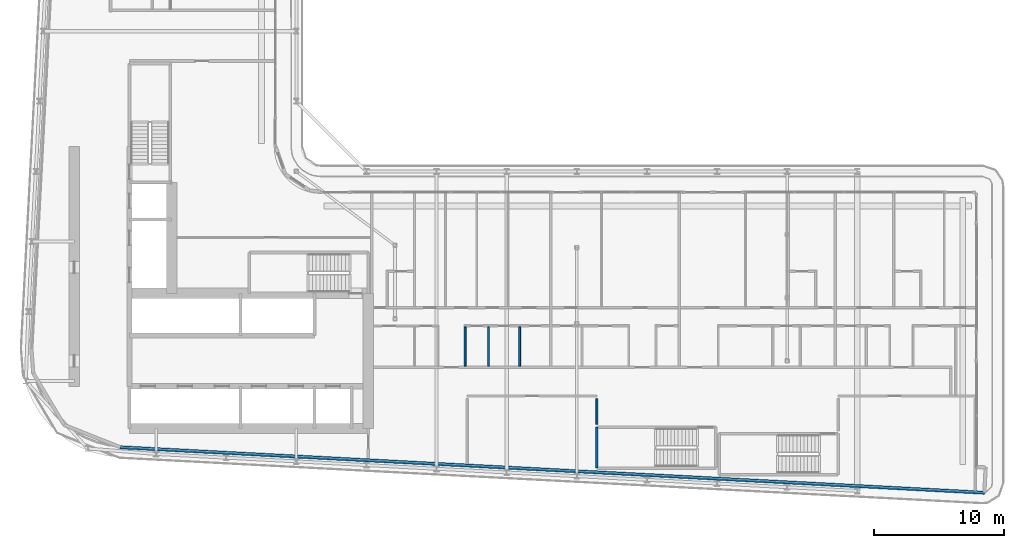
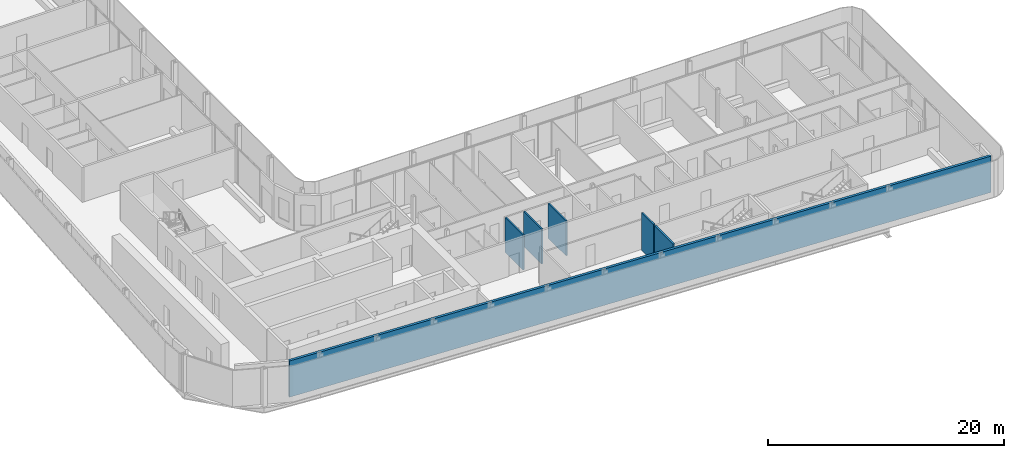
# One storey, part 17 of 30: 6 walls.
"""IFC4 building model written with IfcOpenShell, lengths in metres."""

import ifcopenshell
import ifcopenshell.guid

model = None  # the IFC model being written
_history = None  # IfcOwnerHistory: only IFC2X3 demands one
_inside = {}  # id of a spatial element -> (the spatial element, [elements in it])
_under = {}  # id of a project, library or spatial element -> (it, [spatial elements below it])
_declared = {}  # id of a project -> (the project, [libraries it declares])
_typed = {}  # id of a type object -> (the type object, [elements of that type])
_made_of = {}  # id of a material, layer set ... -> (it, [elements and type objects made of it])


def new_model(schema):
    """Start an empty IFC model of exactly this schema.

    Asked for "IFC4X3", IfcOpenShell would pick the latest addendum, in which some entities
    have other attributes; the version numbers below select the first issue.
    IFC2X3 requires an IfcOwnerHistory on every rooted entity: one is made here for all.
    """
    global model, _history
    if schema == "IFC4X3":
        model = ifcopenshell.file(schema_version=(4, 3, 0, 0))
    else:
        model = ifcopenshell.file(schema=schema)
    _inside.clear()
    _under.clear()
    _declared.clear()
    _typed.clear()
    _made_of.clear()
    _history = None
    if model.schema == "IFC2X3":
        org = make("IfcOrganization", Name="unknown")
        user = make(
            "IfcPersonAndOrganization",
            ThePerson=make("IfcPerson", FamilyName="unknown"),
            TheOrganization=org,
        )
        app = make(
            "IfcApplication",
            ApplicationDeveloper=org,
            Version="unknown",
            ApplicationFullName="unknown",
            ApplicationIdentifier="unknown",
        )
        _history = make(
            "IfcOwnerHistory",
            OwningUser=user,
            OwningApplication=app,
            ChangeAction="ADDED",
            CreationDate=0,
        )
    return model


def make(cls, **values):
    """One entity of the class cls with the attributes given. An attribute that is None is left unset."""
    return model.create_entity(
        cls, **{name: value for name, value in values.items() if value is not None}
    )


def rooted(cls, **values):
    """An entity with a GlobalId (a new one), such as an element, a storey or a relation."""
    return make(cls, GlobalId=ifcopenshell.guid.new(), OwnerHistory=_history, **values)


def si_unit(unit_type, name, prefix=None):
    """IfcSIUnit, for example si_unit("LENGTHUNIT", "METRE", prefix="MILLI")."""
    return make("IfcSIUnit", UnitType=unit_type, Prefix=prefix, Name=name)


def assignment(units):
    """IfcUnitAssignment: the units of a project."""
    return None if units is None else make("IfcUnitAssignment", Units=units)


def point(xyz):
    """IfcCartesianPoint."""
    return None if xyz is None else make("IfcCartesianPoint", Coordinates=xyz)


def direction(xyz):
    """IfcDirection."""
    return None if xyz is None else make("IfcDirection", DirectionRatios=xyz)


def frame(location, z_axis=None, x_axis=None):
    """IfcAxis2Placement3D, a coordinate frame: its origin and axes. An axis left out is left unset."""
    return make(
        "IfcAxis2Placement3D",
        Location=point(location),
        Axis=direction(z_axis),
        RefDirection=direction(x_axis),
    )


def frame_2d(location, x_axis=None):
    """IfcAxis2Placement2D, a coordinate frame in the plane: its origin and x axis."""
    return make(
        "IfcAxis2Placement2D", Location=point(location), RefDirection=direction(x_axis)
    )


def origin():
    """The frame at (0, 0, 0) with its axes left unset."""
    return frame((0.0, 0.0, 0.0))


def place(relative_to, where):
    """IfcLocalPlacement: puts the frame where relative to a parent placement (None: the world)."""
    return make(
        "IfcLocalPlacement", PlacementRelTo=relative_to, RelativePlacement=where
    )


def context(
    kind, dimensions, precision=None, world=None, true_north=None, identifier=None
):
    """IfcGeometricRepresentationContext, for example the 3D "Model" context."""
    return make(
        "IfcGeometricRepresentationContext",
        ContextIdentifier=identifier,
        ContextType=kind,
        CoordinateSpaceDimension=dimensions,
        Precision=precision,
        WorldCoordinateSystem=world,
        TrueNorth=true_north,
    )


def subcontext(parent, identifier, kind, view, scale=None):
    """IfcGeometricRepresentationSubContext, for example "Body" below "Model"."""
    return make(
        "IfcGeometricRepresentationSubContext",
        ContextIdentifier=identifier,
        ContextType=kind,
        ParentContext=parent,
        TargetScale=scale,
        TargetView=view,
    )


def project(units=None, contexts=None):
    """IfcProject with its units and contexts."""
    return rooted(
        "IfcProject",
        Name="project",
        RepresentationContexts=contexts,
        UnitsInContext=assignment(units),
    )


def spatial(cls, under=None, at=None, **own):
    """A site, building, storey or space (cls), placed at a placement, below another one or the project."""
    s = rooted(cls, ObjectPlacement=at, **own)
    if under is not None:
        _under.setdefault(under.id(), (under, []))[1].append(s)
    return s


def profile(cls, at=None, kind="AREA", **sizes):
    """A parametric profile (cls). Its sizes go by their IFC names, for example OverallWidth=200.0."""
    return make(cls, ProfileType=kind, Position=at, **sizes)


def rectangle(**sizes):
    """IfcRectangleProfileDef."""
    return profile("IfcRectangleProfileDef", **sizes)


def extrude(swept, where, along, depth):
    """IfcExtrudedAreaSolid: the profile swept, set in the frame where, extruded along a direction by depth."""
    return make(
        "IfcExtrudedAreaSolid",
        SweptArea=swept,
        Position=where,
        ExtrudedDirection=direction(along),
        Depth=depth,
    )


def shape(context_of_items, identifier, shape_type, items):
    """IfcShapeRepresentation: the items that make up one representation, for example the "Body"."""
    return make(
        "IfcShapeRepresentation",
        ContextOfItems=context_of_items,
        RepresentationIdentifier=identifier,
        RepresentationType=shape_type,
        Items=items,
    )


def material(Name=None, Category=None):
    """IfcMaterial."""
    return make("IfcMaterial", Name=Name, Category=Category)


def layer(
    of_material, thickness, ventilated=None, Name=None, Category=None, Priority=None
):
    """IfcMaterialLayer: one layer of a wall or slab, of a material (None: an air gap)."""
    return make(
        "IfcMaterialLayer",
        Material=of_material,
        LayerThickness=thickness,
        IsVentilated=ventilated,
        Name=Name,
        Category=Category,
        Priority=Priority,
    )


def layer_set(layers, Name=None):
    """IfcMaterialLayerSet."""
    return make("IfcMaterialLayerSet", MaterialLayers=layers, LayerSetName=Name)


def made_of(thing, what):
    """Note that an element or type object is made of a material, layer set ...; save() writes the relation."""
    if what is not None:
        _made_of.setdefault(what.id(), (what, []))[1].append(thing)
    return thing


def type_object(cls, material=None, **own):
    """A type object (cls), such as IfcWallType, which elements share."""
    return made_of(rooted(cls, **own), material)


def element(
    cls,
    number,
    at=None,
    inside=None,
    cuts=None,
    type_object=None,
    material=None,
    context=None,
    identifier="Body",
    shape_type=None,
    held_by="IfcProductDefinitionShape",
    body=None,
    shapes=None,
    **own,
):
    """One element of the class cls, such as IfcWall. Its Tag is "e" and its number.

    at: its placement. inside: the storey or other place that contains it. cuts: it is an
    opening in that element (IfcRelVoidsElement). A single representation is given by context,
    identifier, shape_type and body (its items); several are given by shapes. held_by: the class
    of the entity that holds the representations. save() writes the other relations.
    """
    e = rooted(cls, Tag="e%d" % number, ObjectPlacement=at, **own)
    if body is not None:
        shapes = [shape(context, identifier, shape_type, body)]
    if shapes is not None:
        e.Representation = make(held_by, Representations=shapes)
    if inside is not None:
        _inside.setdefault(inside.id(), (inside, []))[1].append(e)
    if cuts is not None:
        rooted(
            "IfcRelVoidsElement", RelatingBuildingElement=cuts, RelatedOpeningElement=e
        )
    if type_object is not None:
        _typed.setdefault(type_object.id(), (type_object, []))[1].append(e)
    return made_of(e, material)


def aggregate(whole, parts):
    """IfcRelAggregates: a whole, such as a stair, and the parts it consists of."""
    return rooted("IfcRelAggregates", RelatingObject=whole, RelatedObjects=parts)


def save(model, path):
    """Write the relations noted so far, then the file.

    IfcRelAggregates (storeys below a building ...), IfcRelContainedInSpatialStructure (elements
    in a storey), IfcRelDefinesByType, IfcRelAssociatesMaterial and IfcRelDeclares: one each for
    every whole, place, type object, material and project.
    """
    for whole, parts in _under.values():
        aggregate(whole, parts)
    for where, things in _inside.values():
        rooted(
            "IfcRelContainedInSpatialStructure",
            RelatedElements=things,
            RelatingStructure=where,
        )
    for kind, things in _typed.values():
        rooted("IfcRelDefinesByType", RelatedObjects=things, RelatingType=kind)
    for what, things in _made_of.values():
        rooted("IfcRelAssociatesMaterial", RelatedObjects=things, RelatingMaterial=what)
    for by, libraries in _declared.values():
        rooted("IfcRelDeclares", RelatingContext=by, RelatedDefinitions=libraries)
    model.write(path)


model = new_model("IFC4")

# Units and contexts
model_context = context("Model", 3, precision=1e-05, world=origin(), true_north=direction((0.0, 1.0)))
body_context = subcontext(model_context, "Body", "Model", "MODEL_VIEW")
ifc_project = project(units=[si_unit("LENGTHUNIT", "METRE"), si_unit("AREAUNIT", "SQUARE_METRE"), si_unit("VOLUMEUNIT", "CUBIC_METRE"), si_unit("PLANEANGLEUNIT", "RADIAN"), si_unit("MASSUNIT", "GRAM", prefix="KILO")], contexts=[model_context])

# Site, building, storey
site_placement = place(None, origin())
site = spatial("IfcSite", under=ifc_project, at=site_placement, CompositionType="ELEMENT")
building_placement = place(site_placement, origin())
building = spatial("IfcBuilding", under=site, at=building_placement, Name="Kheshtan School and Residences Tower", CompositionType="ELEMENT")
storey_placement = place(building_placement, frame((0.0, 0.0, 195.5)))
storey = spatial("IfcBuildingStorey", under=building, at=storey_placement, Name="L46", CompositionType="ELEMENT", Elevation=195.5)

# Walls
ifc_material_1 = material(Name="Concrete C40/50 with ceramic cladding and mineral wool insulation", Category="concrete")
ifc_layer_1 = layer(ifc_material_1, 0.25)
ifc_layer_set_1 = layer_set([ifc_layer_1], Name="External wall 250 ceramic clad")
wall_type_1 = type_object("IfcWallType", Name="External wall 250 ceramic clad", PredefinedType="SOLIDWALL", material=ifc_layer_set_1)
wall_1_placement = place(storey_placement, frame((100.5859375, 20.85009765625, 0.0), z_axis=(0.0, 0.0, 1.0), x_axis=(-0.99861746497, 0.052565755559, 0.0)))
element("IfcWall", 1, at=wall_1_placement, inside=storey, type_object=wall_type_1, Name="External wall L46 16", PredefinedType="SOLIDWALL", context=body_context, shape_type="SweptSolid", body=[
    extrude(rectangle(XDim=66.638916015625, YDim=0.25, at=frame_2d((33.3193359375, 0.0))), origin(), (0.0, 0.0, 1.0), 3.75),
])
ifc_material_2 = material(Name="Fire-board shaft wall system")
ifc_layer_2 = layer(ifc_material_2, 0.14990234375)
ifc_layer_set_2 = layer_set([ifc_layer_2], Name="Service room wall 150")
wall_type_2 = type_object("IfcWallType", Name="Service room wall 150", PredefinedType="PARTITIONING", material=ifc_layer_set_2)
wall_2_placement = place(storey_placement, frame((70.75, 26.1201171875, 0.0), z_axis=(0.0, 0.0, 1.0), x_axis=(0.0, 1.0, 0.0)))
element("IfcWall", 2, at=wall_2_placement, inside=storey, type_object=wall_type_2, Name="Service room wall", PredefinedType="PARTITIONING", context=body_context, shape_type="SweptSolid", body=[
    extrude(rectangle(XDim=1.98486328125, YDim=0.14990234375, at=frame_2d((0.992431640625, 0.0))), origin(), (0.0, 0.0, 1.0), 3.89990234375),
])
ifc_material_3 = material(Name="Concrete C40/50", Category="concrete")
ifc_layer_3 = layer(ifc_material_3, 0.199951171875)
ifc_layer_set_3 = layer_set([ifc_layer_3], Name="Stair enclosure wall 200 Concrete C40/50")
wall_type_3 = type_object("IfcWallType", Name="Stair enclosure wall 200 Concrete C40/50", PredefinedType="SHEAR", material=ifc_layer_set_3)
wall_3_placement = place(storey_placement, frame((70.75, 22.75, 0.0), z_axis=(0.0, 0.0, 1.0), x_axis=(0.0, 1.0, 0.0)))
element("IfcWall", 3, at=wall_3_placement, inside=storey, type_object=wall_type_3, Name="Stair enclosure wall ST5", PredefinedType="SHEAR", context=body_context, shape_type="SweptSolid", body=[
    extrude(rectangle(XDim=3.14990234375, YDim=0.199951171875, at=frame_2d((1.574951171875, 0.0))), origin(), (0.0, 0.0, 1.0), 3.89990234375),
])
ifc_material_4 = material(Name="Moisture-resistant gypsum board on steel studs", Category="steel")
ifc_layer_4 = layer(ifc_material_4, 0.14990234375)
ifc_layer_set_4 = layer_set([ifc_layer_4], Name="Wet-room partition 150")
wall_type_4 = type_object("IfcWallType", Name="Wet-room partition 150", PredefinedType="PARTITIONING", material=ifc_layer_set_4)
for number, where, z_axis, x_axis, name in (
    (4, (60.60009765625, 30.60009765625, 0.0), (0.0, 0.0, 1.0), (0.0, 1.0, 0.0), "Partition L46-042"),
    (5, (62.39990234375, 30.60009765625, 0.0), (0.0, 0.0, 1.0), (0.0, 1.0, 0.0), "Partition L46-044"),
    (6, (64.800048828125, 30.60009765625, 0.0), (0.0, 0.0, 1.0), (0.0, 1.0, 0.0), "Partition L46-046"),
):
    element("IfcWall", number, at=place(storey_placement, frame(where, z_axis=z_axis, x_axis=x_axis)), inside=storey, type_object=wall_type_4, Name=name, PredefinedType="PARTITIONING", context=body_context, shape_type="SweptSolid", body=[
        extrude(rectangle(XDim=3.02490234375, YDim=0.14990234375, at=frame_2d((1.512451171875, 0.0))), origin(), (0.0, 0.0, 1.0), 3.60009765625),
    ])

save(model, "model.ifc")
